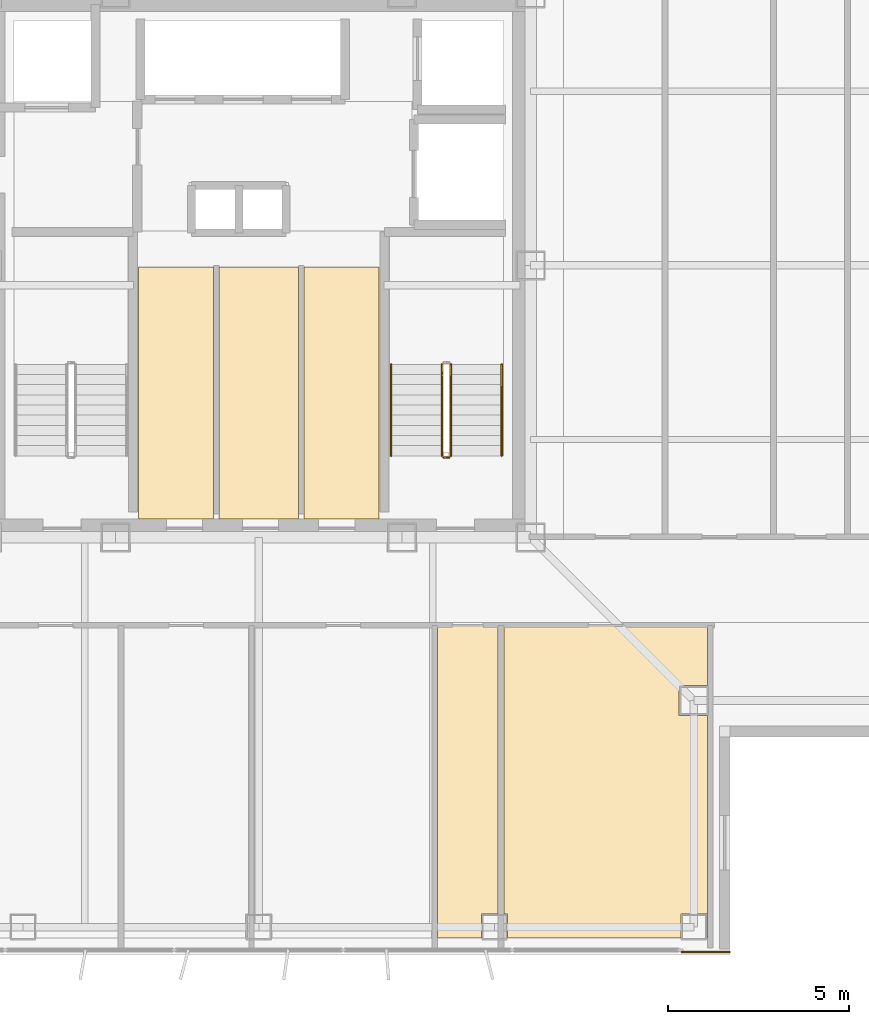
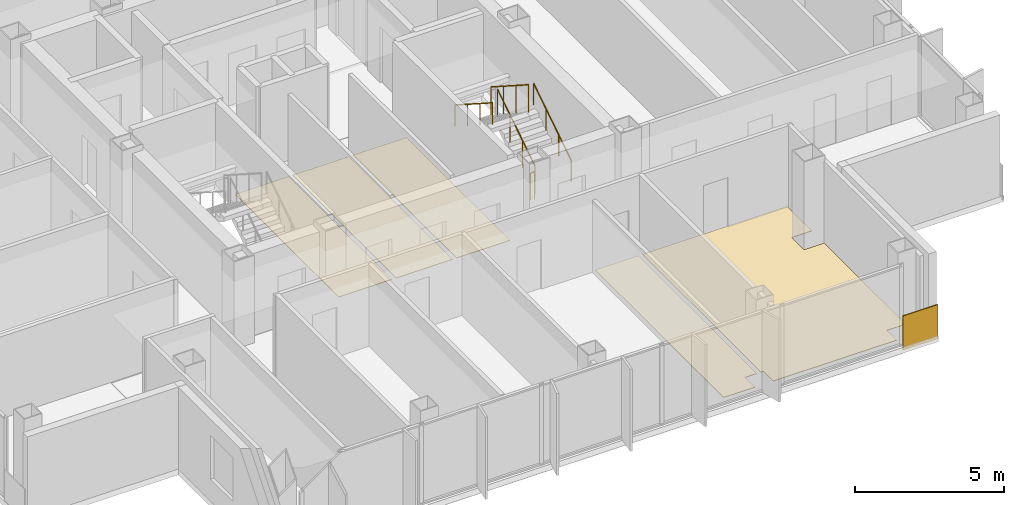
# One storey, part 11 of 15: 6 coverings, 5 railings.
"""IFC4 building model written with IfcOpenShell, lengths in metres."""

import ifcopenshell
import ifcopenshell.guid

model = None  # the IFC model being written
_history = None  # IfcOwnerHistory: only IFC2X3 demands one
_inside = {}  # id of a spatial element -> (the spatial element, [elements in it])
_under = {}  # id of a project, library or spatial element -> (it, [spatial elements below it])
_declared = {}  # id of a project -> (the project, [libraries it declares])
_typed = {}  # id of a type object -> (the type object, [elements of that type])
_made_of = {}  # id of a material, layer set ... -> (it, [elements and type objects made of it])


def new_model(schema):
    """Start an empty IFC model of exactly this schema.

    Asked for "IFC4X3", IfcOpenShell would pick the latest addendum, in which some entities
    have other attributes; the version numbers below select the first issue.
    IFC2X3 requires an IfcOwnerHistory on every rooted entity: one is made here for all.
    """
    global model, _history
    if schema == "IFC4X3":
        model = ifcopenshell.file(schema_version=(4, 3, 0, 0))
    else:
        model = ifcopenshell.file(schema=schema)
    _inside.clear()
    _under.clear()
    _declared.clear()
    _typed.clear()
    _made_of.clear()
    _history = None
    if model.schema == "IFC2X3":
        org = make("IfcOrganization", Name="unknown")
        user = make(
            "IfcPersonAndOrganization",
            ThePerson=make("IfcPerson", FamilyName="unknown"),
            TheOrganization=org,
        )
        app = make(
            "IfcApplication",
            ApplicationDeveloper=org,
            Version="unknown",
            ApplicationFullName="unknown",
            ApplicationIdentifier="unknown",
        )
        _history = make(
            "IfcOwnerHistory",
            OwningUser=user,
            OwningApplication=app,
            ChangeAction="ADDED",
            CreationDate=0,
        )
    return model


def make(cls, **values):
    """One entity of the class cls with the attributes given. An attribute that is None is left unset."""
    return model.create_entity(
        cls, **{name: value for name, value in values.items() if value is not None}
    )


def rooted(cls, **values):
    """An entity with a GlobalId (a new one), such as an element, a storey or a relation."""
    return make(cls, GlobalId=ifcopenshell.guid.new(), OwnerHistory=_history, **values)


def si_unit(unit_type, name, prefix=None):
    """IfcSIUnit, for example si_unit("LENGTHUNIT", "METRE", prefix="MILLI")."""
    return make("IfcSIUnit", UnitType=unit_type, Prefix=prefix, Name=name)


def assignment(units):
    """IfcUnitAssignment: the units of a project."""
    return None if units is None else make("IfcUnitAssignment", Units=units)


def point(xyz):
    """IfcCartesianPoint."""
    return None if xyz is None else make("IfcCartesianPoint", Coordinates=xyz)


def direction(xyz):
    """IfcDirection."""
    return None if xyz is None else make("IfcDirection", DirectionRatios=xyz)


def frame(location, z_axis=None, x_axis=None):
    """IfcAxis2Placement3D, a coordinate frame: its origin and axes. An axis left out is left unset."""
    return make(
        "IfcAxis2Placement3D",
        Location=point(location),
        Axis=direction(z_axis),
        RefDirection=direction(x_axis),
    )


def frame_2d(location, x_axis=None):
    """IfcAxis2Placement2D, a coordinate frame in the plane: its origin and x axis."""
    return make(
        "IfcAxis2Placement2D", Location=point(location), RefDirection=direction(x_axis)
    )


def origin():
    """The frame at (0, 0, 0) with its axes left unset."""
    return frame((0.0, 0.0, 0.0))


def origin_2d():
    """The frame at (0, 0) in the plane with its x axis left unset."""
    return frame_2d((0.0, 0.0))


def place(relative_to, where):
    """IfcLocalPlacement: puts the frame where relative to a parent placement (None: the world)."""
    return make(
        "IfcLocalPlacement", PlacementRelTo=relative_to, RelativePlacement=where
    )


def context(
    kind, dimensions, precision=None, world=None, true_north=None, identifier=None
):
    """IfcGeometricRepresentationContext, for example the 3D "Model" context."""
    return make(
        "IfcGeometricRepresentationContext",
        ContextIdentifier=identifier,
        ContextType=kind,
        CoordinateSpaceDimension=dimensions,
        Precision=precision,
        WorldCoordinateSystem=world,
        TrueNorth=true_north,
    )


def subcontext(parent, identifier, kind, view, scale=None):
    """IfcGeometricRepresentationSubContext, for example "Body" below "Model"."""
    return make(
        "IfcGeometricRepresentationSubContext",
        ContextIdentifier=identifier,
        ContextType=kind,
        ParentContext=parent,
        TargetScale=scale,
        TargetView=view,
    )


def project(units=None, contexts=None):
    """IfcProject with its units and contexts."""
    return rooted(
        "IfcProject",
        Name="project",
        RepresentationContexts=contexts,
        UnitsInContext=assignment(units),
    )


def spatial(cls, under=None, at=None, **own):
    """A site, building, storey or space (cls), placed at a placement, below another one or the project."""
    s = rooted(cls, ObjectPlacement=at, **own)
    if under is not None:
        _under.setdefault(under.id(), (under, []))[1].append(s)
    return s


def polyline(points):
    """IfcPolyline through the points."""
    return make("IfcPolyline", Points=[point(p) for p in points])


def profile(cls, at=None, kind="AREA", **sizes):
    """A parametric profile (cls). Its sizes go by their IFC names, for example OverallWidth=200.0."""
    return make(cls, ProfileType=kind, Position=at, **sizes)


def rectangle(**sizes):
    """IfcRectangleProfileDef."""
    return profile("IfcRectangleProfileDef", **sizes)


def circle(**sizes):
    """IfcCircleProfileDef."""
    return profile("IfcCircleProfileDef", **sizes)


def outline(outer, holes=None, kind="AREA"):
    """IfcArbitraryClosedProfileDef: a profile drawn as a closed curve; with holes, ...WithVoids."""
    if holes is None:
        return make("IfcArbitraryClosedProfileDef", ProfileType=kind, OuterCurve=outer)
    return make(
        "IfcArbitraryProfileDefWithVoids",
        ProfileType=kind,
        OuterCurve=outer,
        InnerCurves=holes,
    )


def extrude(swept, where, along, depth):
    """IfcExtrudedAreaSolid: the profile swept, set in the frame where, extruded along a direction by depth."""
    return make(
        "IfcExtrudedAreaSolid",
        SweptArea=swept,
        Position=where,
        ExtrudedDirection=direction(along),
        Depth=depth,
    )


def shape(context_of_items, identifier, shape_type, items):
    """IfcShapeRepresentation: the items that make up one representation, for example the "Body"."""
    return make(
        "IfcShapeRepresentation",
        ContextOfItems=context_of_items,
        RepresentationIdentifier=identifier,
        RepresentationType=shape_type,
        Items=items,
    )


def material(Name=None, Category=None):
    """IfcMaterial."""
    return make("IfcMaterial", Name=Name, Category=Category)


def layer(
    of_material, thickness, ventilated=None, Name=None, Category=None, Priority=None
):
    """IfcMaterialLayer: one layer of a wall or slab, of a material (None: an air gap)."""
    return make(
        "IfcMaterialLayer",
        Material=of_material,
        LayerThickness=thickness,
        IsVentilated=ventilated,
        Name=Name,
        Category=Category,
        Priority=Priority,
    )


def layer_set(layers, Name=None):
    """IfcMaterialLayerSet."""
    return make("IfcMaterialLayerSet", MaterialLayers=layers, LayerSetName=Name)


def made_of(thing, what):
    """Note that an element or type object is made of a material, layer set ...; save() writes the relation."""
    if what is not None:
        _made_of.setdefault(what.id(), (what, []))[1].append(thing)
    return thing


def type_object(cls, material=None, **own):
    """A type object (cls), such as IfcWallType, which elements share."""
    return made_of(rooted(cls, **own), material)


def element(
    cls,
    number,
    at=None,
    inside=None,
    cuts=None,
    type_object=None,
    material=None,
    context=None,
    identifier="Body",
    shape_type=None,
    held_by="IfcProductDefinitionShape",
    body=None,
    shapes=None,
    **own,
):
    """One element of the class cls, such as IfcWall. Its Tag is "e" and its number.

    at: its placement. inside: the storey or other place that contains it. cuts: it is an
    opening in that element (IfcRelVoidsElement). A single representation is given by context,
    identifier, shape_type and body (its items); several are given by shapes. held_by: the class
    of the entity that holds the representations. save() writes the other relations.
    """
    e = rooted(cls, Tag="e%d" % number, ObjectPlacement=at, **own)
    if body is not None:
        shapes = [shape(context, identifier, shape_type, body)]
    if shapes is not None:
        e.Representation = make(held_by, Representations=shapes)
    if inside is not None:
        _inside.setdefault(inside.id(), (inside, []))[1].append(e)
    if cuts is not None:
        rooted(
            "IfcRelVoidsElement", RelatingBuildingElement=cuts, RelatedOpeningElement=e
        )
    if type_object is not None:
        _typed.setdefault(type_object.id(), (type_object, []))[1].append(e)
    return made_of(e, material)


def aggregate(whole, parts):
    """IfcRelAggregates: a whole, such as a stair, and the parts it consists of."""
    return rooted("IfcRelAggregates", RelatingObject=whole, RelatedObjects=parts)


def save(model, path):
    """Write the relations noted so far, then the file.

    IfcRelAggregates (storeys below a building ...), IfcRelContainedInSpatialStructure (elements
    in a storey), IfcRelDefinesByType, IfcRelAssociatesMaterial and IfcRelDeclares: one each for
    every whole, place, type object, material and project.
    """
    for whole, parts in _under.values():
        aggregate(whole, parts)
    for where, things in _inside.values():
        rooted(
            "IfcRelContainedInSpatialStructure",
            RelatedElements=things,
            RelatingStructure=where,
        )
    for kind, things in _typed.values():
        rooted("IfcRelDefinesByType", RelatedObjects=things, RelatingType=kind)
    for what, things in _made_of.values():
        rooted("IfcRelAssociatesMaterial", RelatedObjects=things, RelatingMaterial=what)
    for by, libraries in _declared.values():
        rooted("IfcRelDeclares", RelatingContext=by, RelatedDefinitions=libraries)
    model.write(path)


model = new_model("IFC4")

# Units and contexts
model_context = context("Model", 3, precision=1e-05, world=origin(), true_north=direction((0.0, 1.0)))
body_context = subcontext(model_context, "Body", "Model", "MODEL_VIEW")
ifc_project = project(units=[si_unit("LENGTHUNIT", "METRE"), si_unit("AREAUNIT", "SQUARE_METRE"), si_unit("VOLUMEUNIT", "CUBIC_METRE"), si_unit("PLANEANGLEUNIT", "RADIAN"), si_unit("MASSUNIT", "GRAM", prefix="KILO")], contexts=[model_context])

# Site, building, storey
site_placement = place(None, origin())
site = spatial("IfcSite", under=ifc_project, at=site_placement, CompositionType="ELEMENT")
building_placement = place(site_placement, origin())
building = spatial("IfcBuilding", under=site, at=building_placement, Name="Trevonay Congress Spire", CompositionType="ELEMENT")
storey_placement = place(building_placement, frame((0.0, 0.0, 293.60009765625)))
storey = spatial("IfcBuildingStorey", under=building, at=storey_placement, Name="L77", CompositionType="ELEMENT", Elevation=293.60009765625)

# Coverings
ifc_material_1 = material(Name="Polished Granite Floor Tile", Category="masonry")
ifc_layer_1 = layer(ifc_material_1, 0.02001953125, Name="Polished Granite Floor Tile")
ifc_layer_set_1 = layer_set([ifc_layer_1], Name="Polished Granite Floor Tile")
covering_type_1 = type_object("IfcCoveringType", Name="COV-FLOOR-STONE", PredefinedType="FLOORING", material=ifc_layer_set_1)
covering_1_placement = place(storey_placement, origin())
element("IfcCovering", 1, at=covering_1_placement, inside=storey, type_object=covering_type_1, Name="L77 Core AHU Fan Plant Room floor finish", PredefinedType="FLOORING", context=body_context, shape_type="SweptSolid", body=[
    extrude(outline(polyline([(-3.320068359375, -7.0), (-1.25, -7.0), (-1.25, -0.050048828125), (-3.320068359375, -0.050048828125), (-3.320068359375, -7.0)])), origin(), (0.0, 0.0, 1.0), 0.02001953125),
])
covering_2_placement = place(storey_placement, origin())
element("IfcCovering", 2, at=covering_2_placement, inside=storey, type_object=covering_type_1, Name="L77 Core IT Comms Store floor finish", PredefinedType="FLOORING", context=body_context, shape_type="SweptSolid", body=[
    extrude(outline(polyline([(-1.090087890625, -7.0), (1.090087890625, -7.0), (1.090087890625, -0.050048828125), (-1.090087890625, -0.050048828125), (-1.090087890625, -7.0)])), origin(), (0.0, 0.0, 1.0), 0.02001953125),
])
covering_3_placement = place(storey_placement, origin())
element("IfcCovering", 3, at=covering_3_placement, inside=storey, type_object=covering_type_1, Name="L77 Housekeeping Linen Store floor finish", PredefinedType="FLOORING", context=body_context, shape_type="SweptSolid", body=[
    extrude(outline(polyline([(1.25, -7.0), (3.320068359375, -7.0), (3.320068359375, -0.050048828125), (1.25, -0.050048828125), (1.25, -7.0)])), origin(), (0.0, 0.0, 1.0), 0.02001953125),
])
covering_4_placement = place(storey_placement, origin())
element("IfcCovering", 4, at=covering_4_placement, inside=storey, type_object=covering_type_1, Name="L77 Accessible WC floor finish", PredefinedType="FLOORING", context=body_context, shape_type="SweptSolid", body=[
    extrude(outline(polyline([(4.929931640625, -18.550048828125), (4.929931640625, -9.929931640625), (6.60009765625, -9.929931640625), (6.60009765625, -17.889892578125), (6.139892578125, -17.889892578125), (6.139892578125, -18.550048828125), (4.929931640625, -18.550048828125)])), origin(), (0.0, 0.0, 1.0), 0.02001953125),
])
covering_5_placement = place(storey_placement, origin())
element("IfcCovering", 5, at=covering_5_placement, inside=storey, type_object=covering_type_1, Name="L77 Floor Supplies and Copy Room floor finish", PredefinedType="FLOORING", context=body_context, shape_type="SweptSolid", body=[
    extrude(outline(polyline([(6.860107421875, -18.550048828125), (6.860107421875, -17.889892578125), (6.760009765625, -17.889892578125), (6.760009765625, -9.929931640625), (12.3701171875, -9.929931640625), (12.3701171875, -11.590087890625), (11.590087890625, -11.590087890625), (11.590087890625, -12.409912109375), (12.3701171875, -12.409912109375), (12.3701171875, -18.550048828125), (12.360107421875, -18.550048828125), (12.360107421875, -17.889892578125), (11.639892578125, -17.889892578125), (11.639892578125, -18.550048828125), (6.860107421875, -18.550048828125)])), origin(), (0.0, 0.0, 1.0), 0.02001953125),
])
ifc_material_2 = material(Name="Pale Anodised Aluminium EN AW-6063-T6", Category="aluminium")
ifc_layer_2 = layer(ifc_material_2, 0.0400390625, Name="Pale Anodised Aluminium EN AW-6063-T6")
ifc_layer_set_2 = layer_set([ifc_layer_2], Name="Pale Anodised Aluminium EN AW-6063-T6")
covering_type_2 = type_object("IfcCoveringType", Name="COV-SPANDREL-PALE-METAL", PredefinedType="CLADDING", material=ifc_layer_set_2)
covering_6_placement = place(storey_placement, frame((11.64990234375, -18.93994140625, -0.150146484375), z_axis=(0.0, 0.0, 1.0), x_axis=(1.0, 0.0, 0.0)))
element("IfcCovering", 6, at=covering_6_placement, inside=storey, type_object=covering_type_2, Name="L77 SE corner pier spandrel cladding 2", PredefinedType="CLADDING", context=body_context, shape_type="SweptSolid", body=[
    extrude(rectangle(XDim=1.35009765625, YDim=0.0400390625, at=frame_2d((0.675048828125, 0.0))), origin(), (0.0, 0.0, 1.0), 1.400146484375),
])

# Railings
railing_type_1 = type_object("IfcRailingType", Name="RAL-STAIR-GUARD-110", PredefinedType="GUARDRAIL", material=ifc_material_2)
railing_1_placement = place(storey_placement, frame((5.300048828125, -5.25, 0.179931640625)))
element("IfcRailing", 7, at=railing_1_placement, inside=storey, type_object=railing_type_1, Name="L77 ST-2 stair guard 1", PredefinedType="GUARDRAIL", context=body_context, shape_type="SweptSolid", body=[
    extrude(circle(Radius=0.02392578125, at=origin_2d()), frame((0.0, 0.0, 1.1259765625), z_axis=(0.0, 0.841199657755, 0.540724639528), x_axis=(-1.0, 0.0, 0.0)), (0.0, 0.0, 1.0), 2.995849609375),
    extrude(circle(Radius=0.02099609375, at=origin_2d()), origin(), (0.0, 0.0, 1.0), 1.101806640625),
    extrude(circle(Radius=0.02099609375, at=origin_2d()), frame((0.0, 0.840087890625, 0.5400390625)), (0.0, 0.0, 1.0), 1.101806640625),
    extrude(circle(Radius=0.02099609375, at=origin_2d()), frame((0.0, 1.679931640625, 1.079833984375)), (0.0, 0.0, 1.0), 1.101806640625),
    extrude(circle(Radius=0.02099609375, at=origin_2d()), frame((0.0, 2.52001953125, 1.619873046875)), (0.0, 0.0, 1.0), 1.101806640625),
])
railing_2_placement = place(storey_placement, frame((5.050048828125, -2.72998046875, 1.97998046875)))
element("IfcRailing", 8, at=railing_2_placement, inside=storey, type_object=railing_type_1, Name="L77 ST-2 stair guard 3", PredefinedType="GUARDRAIL", context=body_context, shape_type="SweptSolid", body=[
    extrude(circle(Radius=0.02392578125, at=origin_2d()), frame((0.0, 0.0, 1.1259765625), z_axis=(0.0, -0.841199657755, 0.540724639528), x_axis=(1.0, 0.0, 0.0)), (0.0, 0.0, 1.0), 2.995849609375),
    extrude(circle(Radius=0.02099609375, at=origin_2d()), origin(), (0.0, 0.0, 1.0), 1.101806640625),
    extrude(circle(Radius=0.02099609375, at=origin_2d()), frame((0.0, -0.840087890625, 0.5400390625)), (0.0, 0.0, 1.0), 1.101806640625),
    extrude(circle(Radius=0.02099609375, at=origin_2d()), frame((0.0, -1.679931640625, 1.079833984375)), (0.0, 0.0, 1.0), 1.101806640625),
    extrude(circle(Radius=0.02099609375, at=origin_2d()), frame((0.0, -2.52001953125, 1.619873046875)), (0.0, 0.0, 1.0), 1.101806640625),
])
railing_3_placement = place(storey_placement, frame((5.25, -5.300048828125, 0.0)))
element("IfcRailing", 9, at=railing_3_placement, inside=storey, type_object=railing_type_1, Name="L77 ST-2 stair guard 4", PredefinedType="GUARDRAIL", context=body_context, shape_type="SweptSolid", body=[
    extrude(circle(Radius=0.02392578125, at=origin_2d()), frame((0.0, 0.0, 1.1259765625), z_axis=(-1.0, 0.0, 0.0), x_axis=(0.0, -1.0, 0.0)), (0.0, 0.0, 1.0), 0.14990234375),
    extrude(circle(Radius=0.02099609375, at=origin_2d()), origin(), (0.0, 0.0, 1.0), 1.101806640625),
    extrude(circle(Radius=0.02099609375, at=origin_2d()), frame((-0.14990234375, 0.0, 0.0)), (0.0, 0.0, 1.0), 1.101806640625),
])
railing_type_2 = type_object("IfcRailingType", Name="RAL-STAIR-HANDRAIL", PredefinedType="HANDRAIL", material=ifc_material_2)
railing_4_placement = place(storey_placement, frame((6.699951171875, -5.25, 0.179931640625)))
element("IfcRailing", 10, at=railing_4_placement, inside=storey, type_object=railing_type_2, Name="L77 ST-2 stair handrail 1", PredefinedType="HANDRAIL", context=body_context, shape_type="SweptSolid", body=[
    extrude(circle(Radius=0.02392578125, at=origin_2d()), frame((0.0, 0.0, 0.8759765625), z_axis=(0.0, 0.841199657755, 0.540724639528), x_axis=(-1.0, 0.0, 0.0)), (0.0, 0.0, 1.0), 2.995849609375),
    extrude(circle(Radius=0.02099609375, at=origin_2d()), origin(), (0.0, 0.0, 1.0), 0.851806640625),
    extrude(circle(Radius=0.02099609375, at=origin_2d()), frame((0.0, 0.840087890625, 0.5400390625)), (0.0, 0.0, 1.0), 0.851806640625),
    extrude(circle(Radius=0.02099609375, at=origin_2d()), frame((0.0, 1.679931640625, 1.079833984375)), (0.0, 0.0, 1.0), 0.851806640625),
    extrude(circle(Radius=0.02099609375, at=origin_2d()), frame((0.0, 2.52001953125, 1.619873046875)), (0.0, 0.0, 1.0), 0.851806640625),
])
railing_5_placement = place(storey_placement, frame((3.64990234375, -2.72998046875, 1.97998046875)))
element("IfcRailing", 11, at=railing_5_placement, inside=storey, type_object=railing_type_2, Name="L77 ST-2 stair handrail 2", PredefinedType="HANDRAIL", context=body_context, shape_type="SweptSolid", body=[
    extrude(circle(Radius=0.02392578125, at=origin_2d()), frame((0.0, 0.0, 0.8759765625), z_axis=(0.0, -0.841199657755, 0.540724639528), x_axis=(1.0, 0.0, 0.0)), (0.0, 0.0, 1.0), 2.995849609375),
    extrude(circle(Radius=0.02099609375, at=origin_2d()), origin(), (0.0, 0.0, 1.0), 0.851806640625),
    extrude(circle(Radius=0.02099609375, at=origin_2d()), frame((0.0, -0.840087890625, 0.5400390625)), (0.0, 0.0, 1.0), 0.851806640625),
    extrude(circle(Radius=0.02099609375, at=origin_2d()), frame((0.0, -1.679931640625, 1.079833984375)), (0.0, 0.0, 1.0), 0.851806640625),
    extrude(circle(Radius=0.02099609375, at=origin_2d()), frame((0.0, -2.52001953125, 1.619873046875)), (0.0, 0.0, 1.0), 0.851806640625),
])

save(model, "model.ifc")
